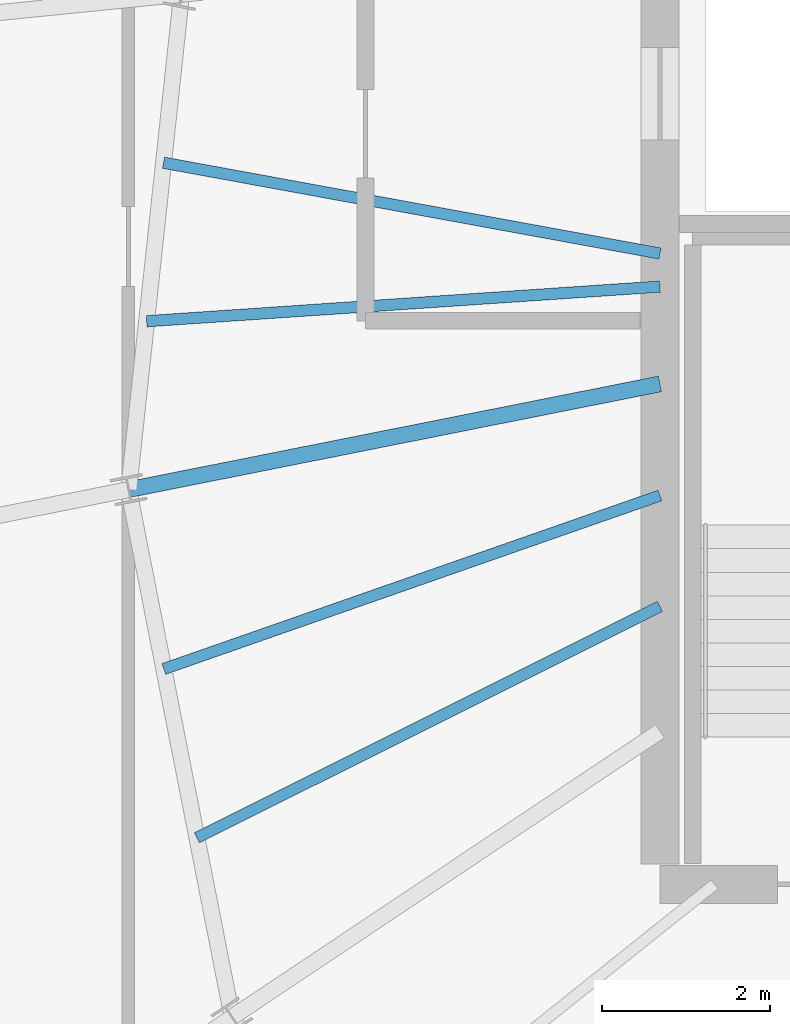
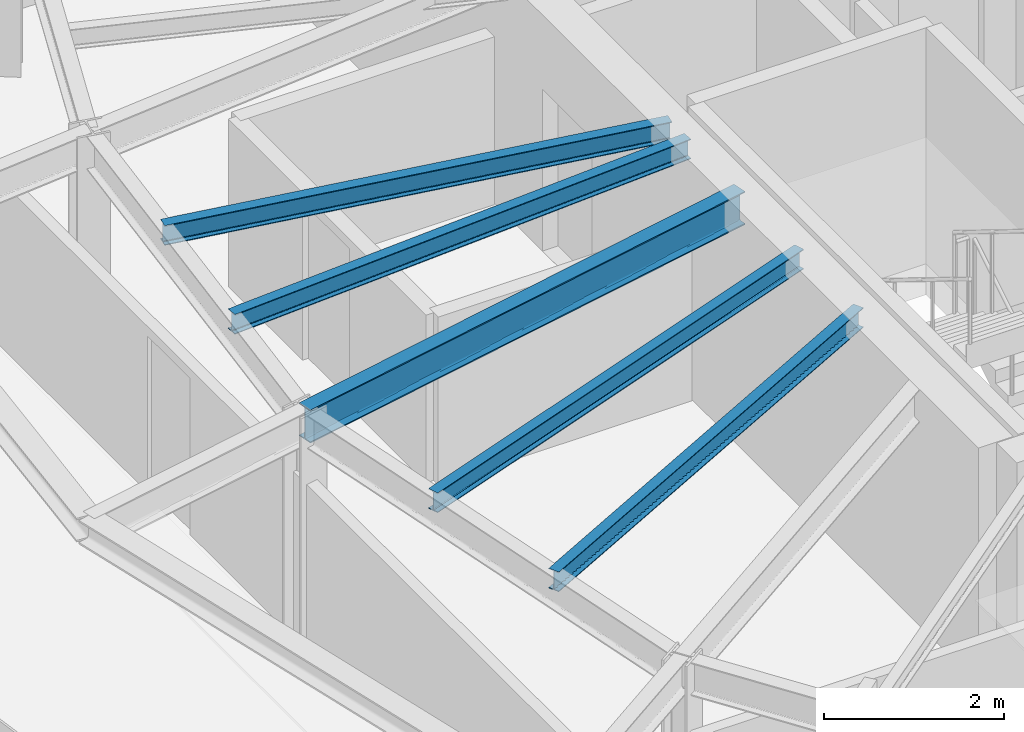
# One storey, part 10 of 36: 5 beams.
"""IFC4 building model written with IfcOpenShell, lengths in metres."""

from ifc_helpers import new_model, si_unit, direction, frame, origin, origin_2d, place, context, subcontext, project, spatial, i_section, extrude, source, transform, mapped, material, material_profile, profile_set, type_object, element, save


model = new_model("IFC4")

# Units and contexts
model_context = context("Model", 3, precision=1e-05, world=origin(), true_north=direction((0.0, 1.0)))
body_context = subcontext(model_context, "Body", "Model", "MODEL_VIEW")
ifc_project = project(units=[si_unit("LENGTHUNIT", "METRE"), si_unit("AREAUNIT", "SQUARE_METRE"), si_unit("VOLUMEUNIT", "CUBIC_METRE"), si_unit("PLANEANGLEUNIT", "RADIAN"), si_unit("MASSUNIT", "GRAM", prefix="KILO"), si_unit("THERMODYNAMICTEMPERATUREUNIT", "KELVIN")], contexts=[model_context])

# Site, building, storey
site_placement = place(None, origin())
site = spatial("IfcSite", under=ifc_project, at=site_placement, CompositionType="ELEMENT")
building_placement = place(site_placement, origin())
building = spatial("IfcBuilding", under=site, at=building_placement, Name="Kethvar Cultural Tower", CompositionType="ELEMENT")
storey_placement = place(building_placement, frame((0.0, 0.0, 228.39990234375)))
storey = spatial("IfcBuildingStorey", under=building, at=storey_placement, Name="L59", CompositionType="ELEMENT", Elevation=228.39990234375)

# Beams
ifc_material = material(Name="Steel S355J2", Category="steel")
ifc_material_profile_1 = material_profile(ifc_material, i_section(OverallWidth=0.18994140625, OverallDepth=0.449951171875, WebThickness=0.009521484375, FlangeThickness=0.0146484375, FilletRadius=0.02099609375, at=origin_2d()), Name="Steel S355J2 — IPE450")
ifc_profile_set_1 = profile_set([ifc_material_profile_1], Name="Steel S355J2 — IPE450")
beam_type_1 = type_object("IfcBeamType", Name="BM-IPE450", PredefinedType="BEAM", material=ifc_profile_set_1)
shared_shape_1 = source(origin(), body_context, "Body", "SweptSolid", [
    extrude(i_section(OverallWidth=0.18994140625, OverallDepth=0.449951171875, WebThickness=0.009521484375, FlangeThickness=0.0146484375, FilletRadius=0.02099609375, at=origin_2d()), origin(), (0.0, 0.0, 1.0), 6.440673828125),
])
beam_1_placement = place(storey_placement, frame((38.0, 26.049560546875, 2.983154296875), z_axis=(-0.980782804096, -0.195102770839, 0.0), x_axis=(0.195102770839, -0.980782804096, 0.0)))
element("IfcBeam", 1, at=beam_1_placement, inside=storey, type_object=beam_type_1, Name="L59 Primary Radial Beam RB-09", PredefinedType="BEAM", context=body_context, shape_type="MappedRepresentation", body=[
    mapped(shared_shape_1, transform((0.0, 0.0, 0.0), scale=1.0)),
])
ifc_material_profile_2 = material_profile(ifc_material, i_section(OverallWidth=0.135009765625, OverallDepth=0.27001953125, WebThickness=0.006591796875, FlangeThickness=0.01025390625, FilletRadius=0.014892578125, at=origin_2d()), Name="Steel S355J2 — IPE270")
ifc_profile_set_2 = profile_set([ifc_material_profile_2], Name="Steel S355J2 — IPE270")
beam_type_2 = type_object("IfcBeamType", Name="BM-J270", PredefinedType="JOIST", material=ifc_profile_set_2)
shared_shape_2 = source(origin(), body_context, "Body", "SweptSolid", [
    extrude(i_section(OverallWidth=0.135009765625, OverallDepth=0.27001953125, WebThickness=0.006591796875, FlangeThickness=0.01025390625, FilletRadius=0.014892578125, at=origin_2d()), origin(), (0.0, 0.0, 1.0), 5.99951171875),
])
beam_2_placement = place(storey_placement, frame((38.0, 27.60009765625, 3.072998046875), z_axis=(-0.983676616141, 0.179945310742, 0.0), x_axis=(-0.179945310742, -0.983676616141, 0.0)))
element("IfcBeam", 2, at=beam_2_placement, inside=storey, type_object=beam_type_2, Name="L59 Composite Floor Joist J-08A", PredefinedType="JOIST", context=body_context, shape_type="MappedRepresentation", body=[
    mapped(shared_shape_2, transform((0.0, 0.0, 0.0), scale=1.0)),
])
shared_shape_3 = source(origin(), body_context, "Body", "SweptSolid", [
    extrude(i_section(OverallWidth=0.135009765625, OverallDepth=0.27001953125, WebThickness=0.006591796875, FlangeThickness=0.01025390625, FilletRadius=0.014892578125, at=origin_2d()), origin(), (0.0, 0.0, 1.0), 6.116943359375),
])
beam_3_placement = place(storey_placement, frame((38.0, 27.206787109375, 3.072998046875), z_axis=(-0.997733289627, -0.067292516454, 0.0), x_axis=(0.067292516454, -0.997733289627, 0.0)))
element("IfcBeam", 3, at=beam_3_placement, inside=storey, type_object=beam_type_2, Name="L59 Composite Floor Joist J-08B", PredefinedType="JOIST", context=body_context, shape_type="MappedRepresentation", body=[
    mapped(shared_shape_3, transform((0.0, 0.0, 0.0), scale=1.0)),
])
shared_shape_4 = source(origin(), body_context, "Body", "SweptSolid", [
    extrude(i_section(OverallWidth=0.135009765625, OverallDepth=0.27001953125, WebThickness=0.006591796875, FlangeThickness=0.01025390625, FilletRadius=0.014892578125, at=origin_2d()), origin(), (0.0, 0.0, 1.0), 6.248779296875),
])
beam_4_placement = place(storey_placement, frame((38.0, 24.722900390625, 3.072998046875), z_axis=(-0.943960031743, -0.330059780148, 0.0), x_axis=(0.330059780148, -0.943960031743, 0.0)))
element("IfcBeam", 4, at=beam_4_placement, inside=storey, type_object=beam_type_2, Name="L59 Composite Floor Joist J-09A", PredefinedType="JOIST", context=body_context, shape_type="MappedRepresentation", body=[
    mapped(shared_shape_4, transform((0.0, 0.0, 0.0), scale=1.0)),
])
shared_shape_5 = source(origin(), body_context, "Body", "SweptSolid", [
    extrude(i_section(OverallWidth=0.135009765625, OverallDepth=0.27001953125, WebThickness=0.006591796875, FlangeThickness=0.01025390625, FilletRadius=0.014892578125, at=origin_2d()), origin(), (0.0, 0.0, 1.0), 6.154052734375),
])
beam_5_placement = place(storey_placement, frame((38.0, 23.40380859375, 3.072998046875), z_axis=(-0.89458581954, -0.446896197655, 0.0), x_axis=(0.446896197655, -0.89458581954, 0.0)))
element("IfcBeam", 5, at=beam_5_placement, inside=storey, type_object=beam_type_2, Name="L59 Composite Floor Joist J-09B", PredefinedType="JOIST", context=body_context, shape_type="MappedRepresentation", body=[
    mapped(shared_shape_5, transform((0.0, 0.0, 0.0), scale=1.0)),
])

save(model, "model.ifc")
